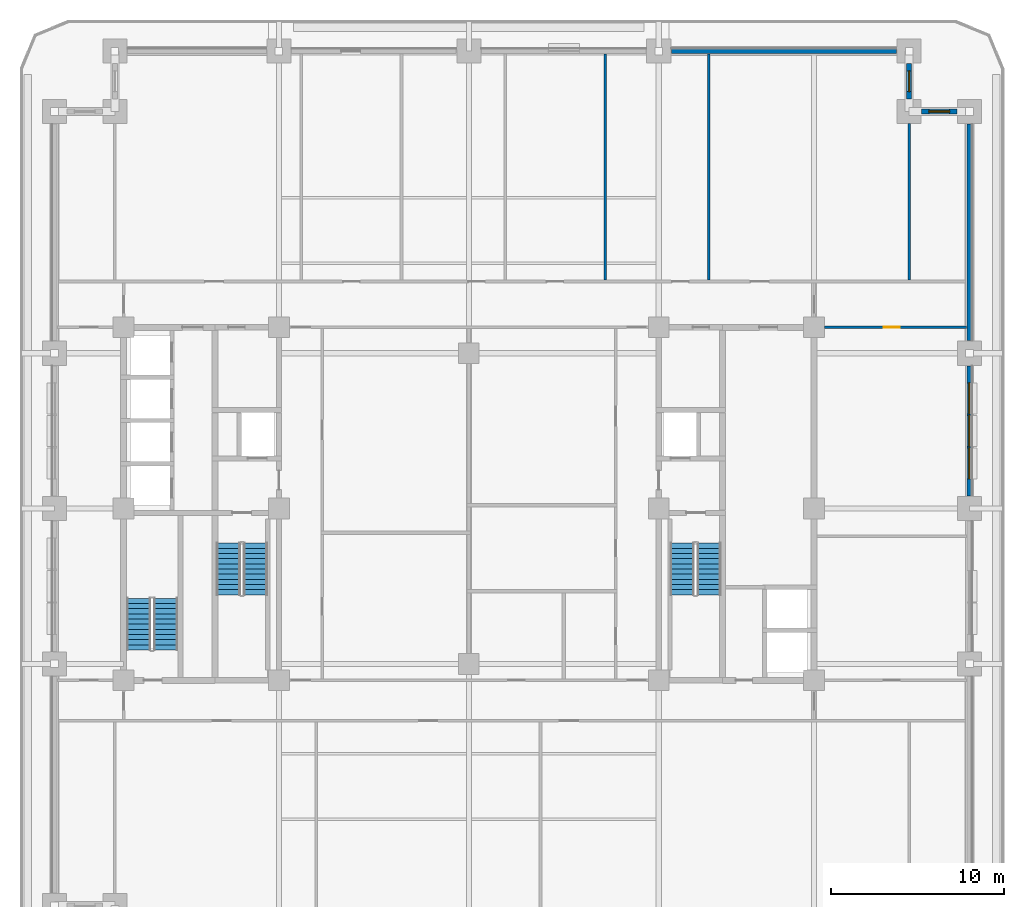
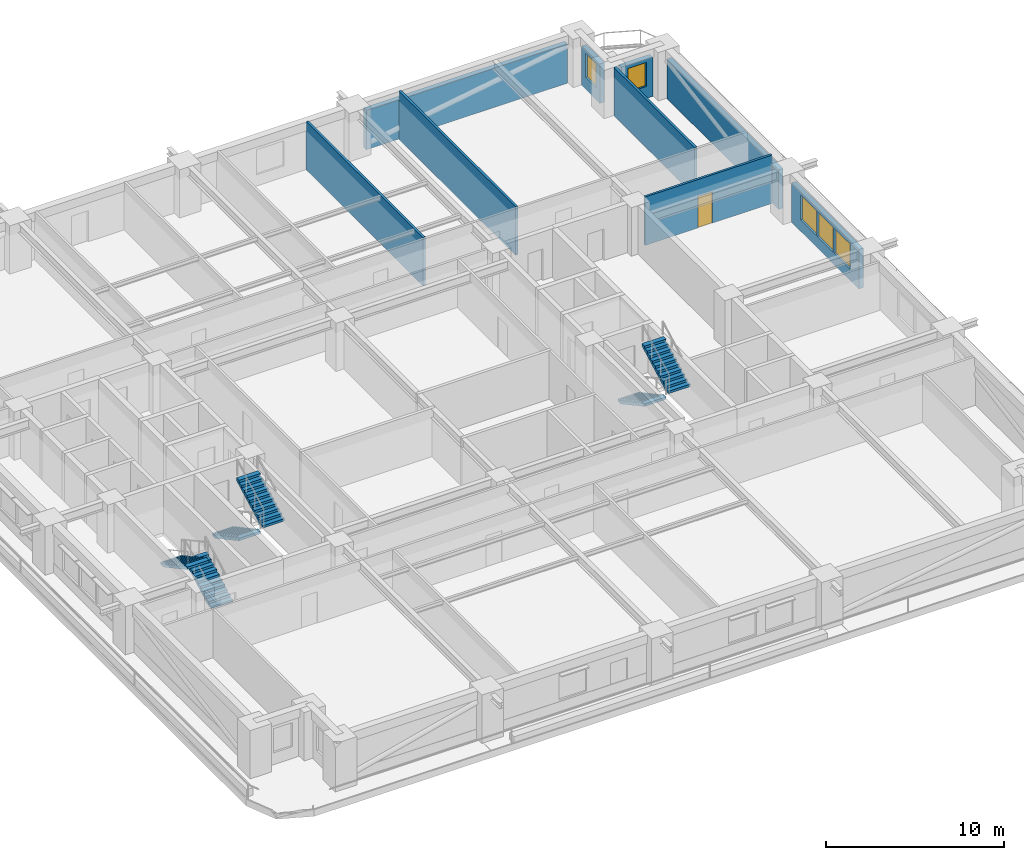
# One storey, part 6 of 14: 9 walls, 6 stair flights, 5 windows, 1 door, 6 openings, 3 elements without a shape of their own.
"""IFC4 building model written with IfcOpenShell, lengths in metres."""

from ifc_helpers import new_model, si_unit, direction, frame, frame_2d, origin, place, context, subcontext, project, spatial, polyline, rectangle, outline, extrude, material, layer, layer_set, type_object, element, fill, aggregate, save


model = new_model("IFC4")

# Units and contexts
model_context = context("Model", 3, precision=1e-05, world=origin(), true_north=direction((0.0, 1.0)))
body_context = subcontext(model_context, "Body", "Model", "MODEL_VIEW")
ifc_project = project(units=[si_unit("LENGTHUNIT", "METRE"), si_unit("AREAUNIT", "SQUARE_METRE"), si_unit("VOLUMEUNIT", "CUBIC_METRE"), si_unit("PLANEANGLEUNIT", "RADIAN"), si_unit("MASSUNIT", "GRAM", prefix="KILO")], contexts=[model_context])

# Site, building, storey
site_placement = place(None, origin())
site = spatial("IfcSite", under=ifc_project, at=site_placement, CompositionType="ELEMENT")
building_placement = place(site_placement, origin())
building = spatial("IfcBuilding", under=site, at=building_placement, Name="Zulmaris Gate Convention Tower", CompositionType="ELEMENT")
storey_placement = place(building_placement, frame((0.0, 0.0, 45.050048828125)))
storey = spatial("IfcBuildingStorey", under=building, at=storey_placement, Name="L10", CompositionType="ELEMENT", Elevation=45.050048828125)

# Wall, opening, door
ifc_material_1 = material(Name="Gypsum Metal Stud Partition")
ifc_layer_1 = layer(ifc_material_1, 0.14990234375, Name="Gypsum Metal Stud Partition")
ifc_layer_set_1 = layer_set([ifc_layer_1], Name="Gypsum Metal Stud Partition")
wall_type_1 = type_object("IfcWallType", Name="PART-150", PredefinedType="PARTITIONING", material=ifc_layer_set_1)
wall_1_placement = place(storey_placement, frame((20.60595703125, 10.5, 0.0), z_axis=(0.0, 0.0, 1.0), x_axis=(1.0, 0.0, 0.0)))
wall_1 = element("IfcWall", 1, at=wall_1_placement, inside=storey, type_object=wall_type_1, Name="WL-L10-031", PredefinedType="PARTITIONING", context=body_context, shape_type="SweptSolid", body=[
    extrude(rectangle(XDim=8.22900390625, YDim=0.14990234375, at=frame_2d((4.114501953125, 0.0))), origin(), (0.0, 0.0, 1.0), 3.320068359375),
])
opening_1_placement = place(wall_1_placement, frame((3.4189453125, 0.0, 0.0)))
opening_1 = element("IfcOpeningElement", 2, at=opening_1_placement, cuts=wall_1, Name="Opening D-11", PredefinedType="OPENING", context=body_context, shape_type="SweptSolid", body=[
    extrude(rectangle(XDim=0.949951171875, YDim=2.14990234375, at=frame_2d((0.47509765625, 1.074951171875))), frame((0.0, 0.0849609375, 0.0), z_axis=(0.0, -1.0, 0.0), x_axis=(1.0, 0.0, 0.0)), (0.0, 0.0, 1.0), 0.169921875),
])
ifc_material_2 = material(Name="Fire-Rated Timber", Category="wood")
door_type = type_object("IfcDoorType", Name="DR-950-FD", OperationType="NOTDEFINED", PredefinedType="DOOR", material=ifc_material_2)
door_placement = place(opening_1_placement, origin())
door = element("IfcDoor", 3, at=door_placement, inside=storey, type_object=door_type, Name="L10 NE Partner Door 42", OperationType="SINGLE_SWING_RIGHT", OverallHeight=2.14990234375, OverallWidth=0.949951171875, PredefinedType="DOOR", context=body_context, shape_type="SweptSolid", body=[
    extrude(rectangle(XDim=0.949951171875, YDim=2.14990234375, at=frame_2d((0.47509765625, 1.074951171875))), frame((0.0, 0.02490234375, 0.0), z_axis=(0.0, -1.0, 0.0), x_axis=(1.0, 0.0, 0.0)), (0.0, 0.0, 1.0), 0.050048828125),
])
fill(opening_1, door)

# Walls
for number, where, z_axis, x_axis, name in (
    (4, (7.89990234375, 13.22802734375, 0.0), (0.0, 0.0, 1.0), (0.0, 1.0, 0.0), "WL-L10-084"),
    (5, (13.89990234375, 13.22802734375, 0.0), (0.0, 0.0, 1.0), (0.0, 1.0, 0.0), "WL-L10-088"),
):
    element("IfcWall", number, at=place(storey_placement, frame(where, z_axis=z_axis, x_axis=x_axis)), inside=storey, type_object=wall_type_1, Name=name, PredefinedType="PARTITIONING", context=body_context, shape_type="SweptSolid", body=[
        extrude(rectangle(XDim=13.10693359375, YDim=0.14990234375, at=frame_2d((6.553466796875, 0.0))), origin(), (0.0, 0.0, 1.0), 3.320068359375),
    ])
wall_2_placement = place(storey_placement, frame((25.5, 13.22802734375, 0.0), z_axis=(0.0, 0.0, 1.0), x_axis=(0.0, 1.0, 0.0)))
element("IfcWall", 6, at=wall_2_placement, inside=storey, type_object=wall_type_1, Name="WL-L10-092", PredefinedType="PARTITIONING", context=body_context, shape_type="SweptSolid", body=[
    extrude(rectangle(XDim=9.06591796875, YDim=0.14990234375, at=frame_2d((4.532958984375, 0.0))), origin(), (0.0, 0.0, 1.0), 3.320068359375),
])

# Wall, opening, window
ifc_material_3 = material(Name="Precast concrete C40/50", Category="concrete")
ifc_layer_2 = layer(ifc_material_3, 0.300048828125, Name="Precast concrete C40/50")
ifc_layer_set_2 = layer_set([ifc_layer_2], Name="Precast concrete C40/50")
wall_type_2 = type_object("IfcWallType", Name="PRECAST-PIER-300", PredefinedType="STANDARD", material=ifc_layer_set_2)
wall_3_placement = place(storey_placement, frame((28.27001953125, 23.0, 0.0), z_axis=(0.0, 0.0, 1.0), x_axis=(-1.0, 0.0, 0.0)))
wall_3 = element("IfcWall", 7, at=wall_3_placement, inside=storey, type_object=wall_type_2, Name="EW-L10-NOTCH-NE1_0", PredefinedType="STANDARD", context=body_context, shape_type="SweptSolid", body=[
    extrude(rectangle(XDim=2.0400390625, YDim=0.300048828125, at=frame_2d((1.02001953125, 0.0))), origin(), (0.0, 0.0, 1.0), 2.712158203125),
])
opening_2_placement = place(wall_3_placement, frame((0.419921875, 0.0, 0.820068359375)))
opening_2 = element("IfcOpeningElement", 8, at=opening_2_placement, cuts=wall_3, Name="Opening W-04", PredefinedType="OPENING", context=body_context, shape_type="SweptSolid", body=[
    extrude(rectangle(XDim=1.199951171875, YDim=1.64990234375, at=frame_2d((0.60009765625, 0.824951171875))), frame((0.0, 0.16015625, 0.0), z_axis=(0.0, -1.0, 0.0), x_axis=(1.0, 0.0, 0.0)), (0.0, 0.0, 1.0), 0.320068359375),
])
ifc_material_4 = material(Name="Low-E Laminated Double Glazing in Aluminium Frame", Category="aluminium")
window_type_1 = type_object("IfcWindowType", Name="WIN-1200x2100", PartitioningType="SINGLE_PANEL", PredefinedType="WINDOW", material=ifc_material_4)
window_1_placement = place(opening_2_placement, origin())
window_1 = element("IfcWindow", 9, at=window_1_placement, inside=storey, type_object=window_type_1, Name="WN-EW-L10-NOTCH-NE1_0", OverallHeight=1.64990234375, OverallWidth=1.199951171875, PartitioningType="SINGLE_PANEL", PredefinedType="WINDOW", context=body_context, shape_type="SweptSolid", body=[
    extrude(rectangle(XDim=1.199951171875, YDim=1.64990234375, at=frame_2d((0.60009765625, 0.824951171875))), frame((0.0, 0.030029296875, 0.0), z_axis=(0.0, -1.0, 0.0), x_axis=(1.0, 0.0, 0.0)), (0.0, 0.0, 1.0), 0.06005859375),
])
fill(opening_2, window_1)

wall_4_placement = place(storey_placement, frame((25.5, 23.72998046875, 0.0), z_axis=(0.0, 0.0, 1.0), x_axis=(0.0, 1.0, 0.0)))
wall_4 = element("IfcWall", 10, at=wall_4_placement, inside=storey, type_object=wall_type_2, Name="EW-L10-NOTCH-NE2_0", PredefinedType="STANDARD", context=body_context, shape_type="SweptSolid", body=[
    extrude(rectangle(XDim=2.0400390625, YDim=0.300048828125, at=frame_2d((1.02001953125, 0.0))), origin(), (0.0, 0.0, 1.0), 2.712158203125),
])
opening_3_placement = place(wall_4_placement, frame((0.419921875, 0.0, 0.820068359375)))
opening_3 = element("IfcOpeningElement", 11, at=opening_3_placement, cuts=wall_4, Name="Opening W-04", PredefinedType="OPENING", context=body_context, shape_type="SweptSolid", body=[
    extrude(rectangle(XDim=1.199951171875, YDim=1.64990234375, at=frame_2d((0.60009765625, 0.824951171875))), frame((0.0, 0.16015625, 0.0), z_axis=(0.0, -1.0, 0.0), x_axis=(1.0, 0.0, 0.0)), (0.0, 0.0, 1.0), 0.320068359375),
])
window_2_placement = place(opening_3_placement, origin())
window_2 = element("IfcWindow", 12, at=window_2_placement, inside=storey, type_object=window_type_1, Name="WN-EW-L10-NOTCH-NE2_0", OverallHeight=1.64990234375, OverallWidth=1.199951171875, PartitioningType="SINGLE_PANEL", PredefinedType="WINDOW", context=body_context, shape_type="SweptSolid", body=[
    extrude(rectangle(XDim=1.199951171875, YDim=1.64990234375, at=frame_2d((0.60009765625, 0.824951171875))), frame((0.0, 0.030029296875, 0.0), z_axis=(0.0, -1.0, 0.0), x_axis=(1.0, 0.0, 0.0)), (0.0, 0.0, 1.0), 0.06005859375),
])
fill(opening_3, window_2)

# Wall
wall_5_placement = place(storey_placement, frame((24.77001953125, 26.5, 0.0), z_axis=(0.0, 0.0, 1.0), x_axis=(-1.0, 0.0, 0.0)))
element("IfcWall", 13, at=wall_5_placement, inside=storey, type_object=wall_type_2, Name="EW-L10-N-3_0", PredefinedType="STANDARD", context=body_context, shape_type="SweptSolid", body=[
    extrude(rectangle(XDim=13.0400390625, YDim=0.300048828125, at=frame_2d((6.52001953125, 0.0))), origin(), (0.0, 0.0, 1.0), 2.712158203125),
])

# Wall, openings, windows
wall_6_placement = place(storey_placement, frame((29.0, 0.72998046875, 0.0), z_axis=(0.0, 0.0, 1.0), x_axis=(0.0, 1.0, 0.0)))
wall_6 = element("IfcWall", 14, at=wall_6_placement, inside=storey, type_object=wall_type_2, Name="EW-L10-E-2_0", PredefinedType="STANDARD", context=body_context, shape_type="SweptSolid", body=[
    extrude(rectangle(XDim=7.5400390625, YDim=0.300048828125, at=frame_2d((3.77001953125, 0.0))), origin(), (0.0, 0.0, 1.0), 2.712158203125),
])
opening_4_placement = place(wall_6_placement, frame((0.985107421875, 0.0, 0.780029296875)))
opening_4 = element("IfcOpeningElement", 15, at=opening_4_placement, cuts=wall_6, Name="Opening W-02", PredefinedType="OPENING", context=body_context, shape_type="SweptSolid", body=[
    extrude(rectangle(XDim=1.800048828125, YDim=1.719970703125, at=frame_2d((0.89990234375, 0.85986328125))), frame((0.0, 0.16015625, 0.0), z_axis=(0.0, -1.0, 0.0), x_axis=(1.0, 0.0, 0.0)), (0.0, 0.0, 1.0), 0.320068359375),
])
opening_5_placement = place(wall_6_placement, frame((2.8701171875, 0.0, 0.780029296875)))
opening_5 = element("IfcOpeningElement", 16, at=opening_5_placement, cuts=wall_6, Name="Opening W-02", PredefinedType="OPENING", context=body_context, shape_type="SweptSolid", body=[
    extrude(rectangle(XDim=1.800048828125, YDim=1.719970703125, at=frame_2d((0.89990234375, 0.85986328125))), frame((0.0, 0.16015625, 0.0), z_axis=(0.0, -1.0, 0.0), x_axis=(1.0, 0.0, 0.0)), (0.0, 0.0, 1.0), 0.320068359375),
])
opening_6_placement = place(wall_6_placement, frame((4.7548828125, 0.0, 0.780029296875)))
opening_6 = element("IfcOpeningElement", 17, at=opening_6_placement, cuts=wall_6, Name="Opening W-02", PredefinedType="OPENING", context=body_context, shape_type="SweptSolid", body=[
    extrude(rectangle(XDim=1.800048828125, YDim=1.719970703125, at=frame_2d((0.89990234375, 0.85986328125))), frame((0.0, 0.16015625, 0.0), z_axis=(0.0, -1.0, 0.0), x_axis=(1.0, 0.0, 0.0)), (0.0, 0.0, 1.0), 0.320068359375),
])
window_type_2 = type_object("IfcWindowType", Name="WIN-1800x2200", PartitioningType="SINGLE_PANEL", PredefinedType="WINDOW", material=ifc_material_4)
window_3_placement = place(opening_4_placement, origin())
window_3 = element("IfcWindow", 18, at=window_3_placement, inside=storey, type_object=window_type_2, Name="WN-EW-L10-E-2_0-1", OverallHeight=1.719970703125, OverallWidth=1.800048828125, PartitioningType="SINGLE_PANEL", PredefinedType="WINDOW", context=body_context, shape_type="SweptSolid", body=[
    extrude(rectangle(XDim=1.800048828125, YDim=1.719970703125, at=frame_2d((0.89990234375, 0.85986328125))), frame((0.0, 0.030029296875, 0.0), z_axis=(0.0, -1.0, 0.0), x_axis=(1.0, 0.0, 0.0)), (0.0, 0.0, 1.0), 0.06005859375),
])
fill(opening_4, window_3)
window_4_placement = place(opening_5_placement, origin())
window_4 = element("IfcWindow", 19, at=window_4_placement, inside=storey, type_object=window_type_2, Name="WN-EW-L10-E-2_0-2", OverallHeight=1.719970703125, OverallWidth=1.800048828125, PartitioningType="SINGLE_PANEL", PredefinedType="WINDOW", context=body_context, shape_type="SweptSolid", body=[
    extrude(rectangle(XDim=1.800048828125, YDim=1.719970703125, at=frame_2d((0.89990234375, 0.85986328125))), frame((0.0, 0.030029296875, 0.0), z_axis=(0.0, -1.0, 0.0), x_axis=(1.0, 0.0, 0.0)), (0.0, 0.0, 1.0), 0.06005859375),
])
fill(opening_5, window_4)
window_5_placement = place(opening_6_placement, origin())
window_5 = element("IfcWindow", 20, at=window_5_placement, inside=storey, type_object=window_type_2, Name="WN-EW-L10-E-2_0-3", OverallHeight=1.719970703125, OverallWidth=1.800048828125, PartitioningType="SINGLE_PANEL", PredefinedType="WINDOW", context=body_context, shape_type="SweptSolid", body=[
    extrude(rectangle(XDim=1.800048828125, YDim=1.719970703125, at=frame_2d((0.89990234375, 0.85986328125))), frame((0.0, 0.030029296875, 0.0), z_axis=(0.0, -1.0, 0.0), x_axis=(1.0, 0.0, 0.0)), (0.0, 0.0, 1.0), 0.06005859375),
])
fill(opening_6, window_5)

# Wall
wall_7_placement = place(storey_placement, frame((29.0, 9.72998046875, 0.0), z_axis=(0.0, 0.0, 1.0), x_axis=(0.0, 1.0, 0.0)))
element("IfcWall", 21, at=wall_7_placement, inside=storey, type_object=wall_type_2, Name="EW-L10-E-3_0", PredefinedType="STANDARD", context=body_context, shape_type="SweptSolid", body=[
    extrude(rectangle(XDim=12.5400390625, YDim=0.300048828125, at=frame_2d((6.27001953125, 0.0))), origin(), (0.0, 0.0, 1.0), 2.712158203125),
])

# Stair, stair flights
ifc_material_5 = material(Name="Concrete C45/55", Category="concrete")
stair_type = type_object("IfcStairType", Name="ST-CORE-DOGLEG", PredefinedType="HALF_TURN_STAIR", material=ifc_material_5)
stair_1_placement = place(storey_placement, origin())
stair_1 = element("IfcStair", 22, at=stair_1_placement, inside=storey, type_object=stair_type, Name="L10 Core Exit Stair ST-1", PredefinedType="HALF_TURN_STAIR")
ifc_layer_3 = layer(ifc_material_5, 0.14990234375, Name="Concrete C45/55")
ifc_layer_set_3 = layer_set([ifc_layer_3], Name="Concrete C45/55")
stair_flight_type = type_object("IfcStairFlightType", Name="STF-RC150", PredefinedType="STRAIGHT", material=ifc_layer_set_3)
stair_flight_1_placement = place(storey_placement, frame((-13.919921875, -2.0, 0.0), z_axis=(0.0, 0.0, 1.0), x_axis=(0.0, -1.0, 0.0)))
stair_flight_1 = element("IfcStairFlight", 23, at=stair_flight_1_placement, type_object=stair_flight_type, Name="ST-1 flight 1", NumberOfRisers=11, NumberOfTreads=10, PredefinedType="STRAIGHT", RiserHeight=0.162277273, TreadLength=0.3, context=body_context, shape_type="SweptSolid", body=[
    extrude(outline(polyline([(0.0, 0.0), (0.0, 0.162353515625), (0.300048828125, 0.162353515625), (0.300048828125, 0.324462890625), (0.60009765625, 0.324462890625), (0.60009765625, 0.48681640625), (0.89990234375, 0.48681640625), (0.89990234375, 0.649169921875), (1.199951171875, 0.649169921875), (1.199951171875, 0.811279296875), (1.5, 0.811279296875), (1.5, 0.9736328125), (1.800048828125, 0.9736328125), (1.800048828125, 1.135986328125), (2.10009765625, 1.135986328125), (2.10009765625, 1.29833984375), (2.39990234375, 1.29833984375), (2.39990234375, 1.46044921875), (2.699951171875, 1.46044921875), (2.699951171875, 1.622802734375), (3.0, 1.622802734375), (3.0, 1.78515625), (3.0, 1.452392578125), (0.315185546875, 0.0), (0.0, 0.0)])), frame((0.0, 0.699951171875, 0.0), z_axis=(0.0, -1.0, 0.0), x_axis=(1.0, 0.0, 0.0)), (0.0, 0.0, 1.0), 1.39990234375),
])
stair_flight_2_placement = place(storey_placement, frame((-12.360107421875, -5.0, 1.784912109375), z_axis=(0.0, 0.0, 1.0), x_axis=(0.0, 1.0, 0.0)))
stair_flight_2 = element("IfcStairFlight", 24, at=stair_flight_2_placement, type_object=stair_flight_type, Name="ST-1 flight 2", NumberOfRisers=11, NumberOfTreads=10, PredefinedType="STRAIGHT", RiserHeight=0.162277273, TreadLength=0.3, context=body_context, shape_type="SweptSolid", body=[
    extrude(outline(polyline([(0.0, 0.0), (0.0, 0.162353515625), (0.300048828125, 0.162353515625), (0.300048828125, 0.324462890625), (0.60009765625, 0.324462890625), (0.60009765625, 0.48681640625), (0.89990234375, 0.48681640625), (0.89990234375, 0.649169921875), (1.199951171875, 0.649169921875), (1.199951171875, 0.811279296875), (1.5, 0.811279296875), (1.5, 0.9736328125), (1.800048828125, 0.9736328125), (1.800048828125, 1.135986328125), (2.10009765625, 1.135986328125), (2.10009765625, 1.29833984375), (2.39990234375, 1.29833984375), (2.39990234375, 1.46044921875), (2.699951171875, 1.46044921875), (2.699951171875, 1.622802734375), (3.0, 1.622802734375), (3.0, 1.78515625), (3.0, 1.452392578125), (0.315185546875, 0.0), (0.0, 0.0)])), frame((0.0, 0.699951171875, 0.0), z_axis=(0.0, -1.0, 0.0), x_axis=(1.0, 0.0, 0.0)), (0.0, 0.0, 1.0), 1.39990234375),
])
aggregate(stair_1, [stair_flight_1, stair_flight_2])

stair_2_placement = place(storey_placement, origin())
stair_2 = element("IfcStair", 25, at=stair_2_placement, inside=storey, type_object=stair_type, Name="L10 Core Exit Stair ST-2", PredefinedType="HALF_TURN_STAIR")
stair_flight_3_placement = place(storey_placement, frame((12.360107421875, -2.0, 0.0), z_axis=(0.0, 0.0, 1.0), x_axis=(0.0, -1.0, 0.0)))
stair_flight_3 = element("IfcStairFlight", 26, at=stair_flight_3_placement, type_object=stair_flight_type, Name="ST-2 flight 1", NumberOfRisers=11, NumberOfTreads=10, PredefinedType="STRAIGHT", RiserHeight=0.162277273, TreadLength=0.3, context=body_context, shape_type="SweptSolid", body=[
    extrude(outline(polyline([(0.0, 0.0), (0.0, 0.162353515625), (0.300048828125, 0.162353515625), (0.300048828125, 0.324462890625), (0.60009765625, 0.324462890625), (0.60009765625, 0.48681640625), (0.89990234375, 0.48681640625), (0.89990234375, 0.649169921875), (1.199951171875, 0.649169921875), (1.199951171875, 0.811279296875), (1.5, 0.811279296875), (1.5, 0.9736328125), (1.800048828125, 0.9736328125), (1.800048828125, 1.135986328125), (2.10009765625, 1.135986328125), (2.10009765625, 1.29833984375), (2.39990234375, 1.29833984375), (2.39990234375, 1.46044921875), (2.699951171875, 1.46044921875), (2.699951171875, 1.622802734375), (3.0, 1.622802734375), (3.0, 1.78515625), (3.0, 1.452392578125), (0.315185546875, 0.0), (0.0, 0.0)])), frame((0.0, 0.699951171875, 0.0), z_axis=(0.0, -1.0, 0.0), x_axis=(1.0, 0.0, 0.0)), (0.0, 0.0, 1.0), 1.39990234375),
])
stair_flight_4_placement = place(storey_placement, frame((13.919921875, -5.0, 1.784912109375), z_axis=(0.0, 0.0, 1.0), x_axis=(0.0, 1.0, 0.0)))
stair_flight_4 = element("IfcStairFlight", 27, at=stair_flight_4_placement, type_object=stair_flight_type, Name="ST-2 flight 2", NumberOfRisers=11, NumberOfTreads=10, PredefinedType="STRAIGHT", RiserHeight=0.162277273, TreadLength=0.3, context=body_context, shape_type="SweptSolid", body=[
    extrude(outline(polyline([(0.0, 0.0), (0.0, 0.162353515625), (0.300048828125, 0.162353515625), (0.300048828125, 0.324462890625), (0.60009765625, 0.324462890625), (0.60009765625, 0.48681640625), (0.89990234375, 0.48681640625), (0.89990234375, 0.649169921875), (1.199951171875, 0.649169921875), (1.199951171875, 0.811279296875), (1.5, 0.811279296875), (1.5, 0.9736328125), (1.800048828125, 0.9736328125), (1.800048828125, 1.135986328125), (2.10009765625, 1.135986328125), (2.10009765625, 1.29833984375), (2.39990234375, 1.29833984375), (2.39990234375, 1.46044921875), (2.699951171875, 1.46044921875), (2.699951171875, 1.622802734375), (3.0, 1.622802734375), (3.0, 1.78515625), (3.0, 1.452392578125), (0.315185546875, 0.0), (0.0, 0.0)])), frame((0.0, 0.699951171875, 0.0), z_axis=(0.0, -1.0, 0.0), x_axis=(1.0, 0.0, 0.0)), (0.0, 0.0, 1.0), 1.39990234375),
])
aggregate(stair_2, [stair_flight_3, stair_flight_4])

stair_3_placement = place(storey_placement, origin())
stair_3 = element("IfcStair", 28, at=stair_3_placement, inside=storey, type_object=stair_type, Name="L10 Core Exit Stair ST-3", PredefinedType="HALF_TURN_STAIR")
stair_flight_5_placement = place(storey_placement, frame((-17.56005859375, -8.199951171875, 0.0), z_axis=(0.0, 0.0, 1.0), x_axis=(0.0, 1.0, 0.0)))
stair_flight_5 = element("IfcStairFlight", 29, at=stair_flight_5_placement, type_object=stair_flight_type, Name="ST-3 flight 1", NumberOfRisers=11, NumberOfTreads=10, PredefinedType="STRAIGHT", RiserHeight=0.162277273, TreadLength=0.3, context=body_context, shape_type="SweptSolid", body=[
    extrude(outline(polyline([(0.0, 0.0), (0.0, 0.162353515625), (0.300048828125, 0.162353515625), (0.300048828125, 0.324462890625), (0.60009765625, 0.324462890625), (0.60009765625, 0.48681640625), (0.89990234375, 0.48681640625), (0.89990234375, 0.649169921875), (1.199951171875, 0.649169921875), (1.199951171875, 0.811279296875), (1.5, 0.811279296875), (1.5, 0.9736328125), (1.800048828125, 0.9736328125), (1.800048828125, 1.135986328125), (2.10009765625, 1.135986328125), (2.10009765625, 1.29833984375), (2.39990234375, 1.29833984375), (2.39990234375, 1.46044921875), (2.699951171875, 1.46044921875), (2.699951171875, 1.622802734375), (3.0, 1.622802734375), (3.0, 1.78515625), (3.0, 1.452392578125), (0.315185546875, 0.0), (0.0, 0.0)])), frame((0.0, 0.699951171875, 0.0), z_axis=(0.0, -1.0, 0.0), x_axis=(1.0, 0.0, 0.0)), (0.0, 0.0, 1.0), 1.39990234375),
])
stair_flight_6_placement = place(storey_placement, frame((-19.1201171875, -5.199951171875, 1.784912109375), z_axis=(0.0, 0.0, 1.0), x_axis=(0.0, -1.0, 0.0)))
stair_flight_6 = element("IfcStairFlight", 30, at=stair_flight_6_placement, type_object=stair_flight_type, Name="ST-3 flight 2", NumberOfRisers=11, NumberOfTreads=10, PredefinedType="STRAIGHT", RiserHeight=0.162277273, TreadLength=0.3, context=body_context, shape_type="SweptSolid", body=[
    extrude(outline(polyline([(0.0, 0.0), (0.0, 0.162353515625), (0.300048828125, 0.162353515625), (0.300048828125, 0.324462890625), (0.60009765625, 0.324462890625), (0.60009765625, 0.48681640625), (0.89990234375, 0.48681640625), (0.89990234375, 0.649169921875), (1.199951171875, 0.649169921875), (1.199951171875, 0.811279296875), (1.5, 0.811279296875), (1.5, 0.9736328125), (1.800048828125, 0.9736328125), (1.800048828125, 1.135986328125), (2.10009765625, 1.135986328125), (2.10009765625, 1.29833984375), (2.39990234375, 1.29833984375), (2.39990234375, 1.46044921875), (2.699951171875, 1.46044921875), (2.699951171875, 1.622802734375), (3.0, 1.622802734375), (3.0, 1.78515625), (3.0, 1.452392578125), (0.315185546875, 0.0), (0.0, 0.0)])), frame((0.0, 0.699951171875, 0.0), z_axis=(0.0, -1.0, 0.0), x_axis=(1.0, 0.0, 0.0)), (0.0, 0.0, 1.0), 1.39990234375),
])
aggregate(stair_3, [stair_flight_5, stair_flight_6])

save(model, "model.ifc")
